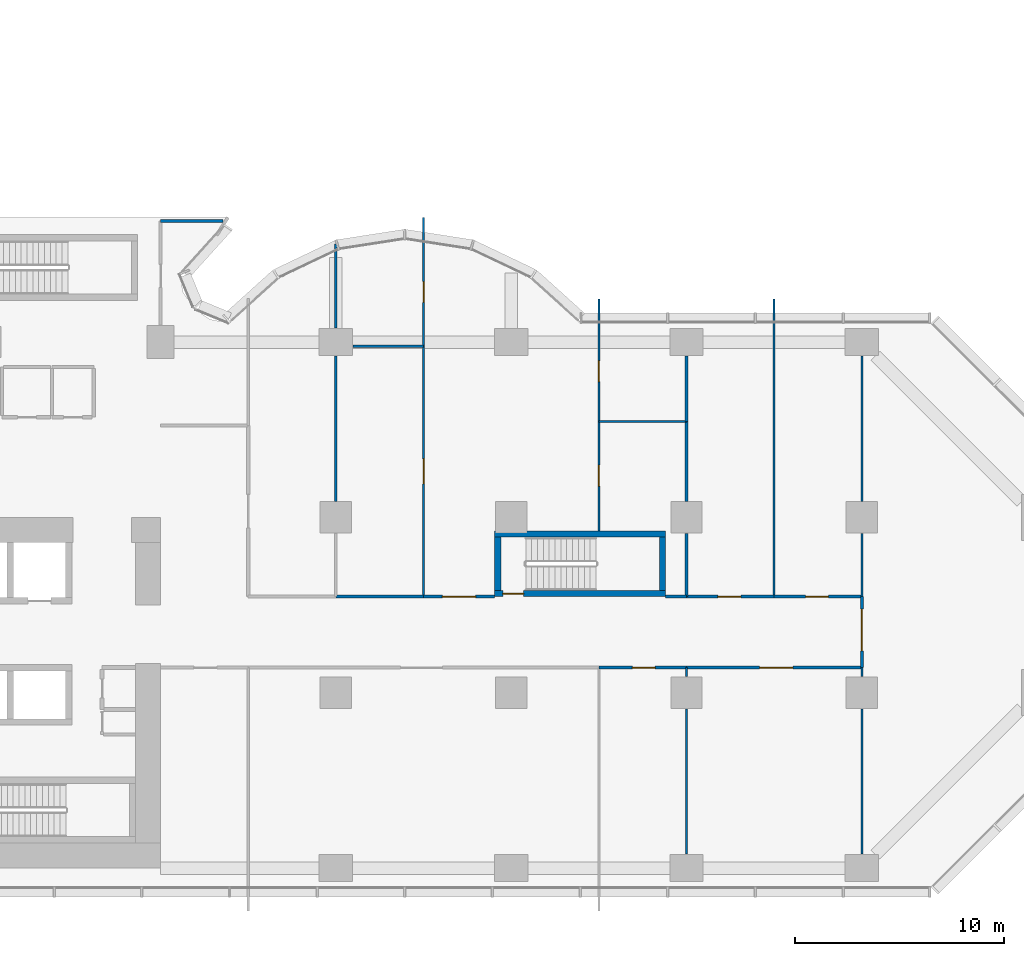
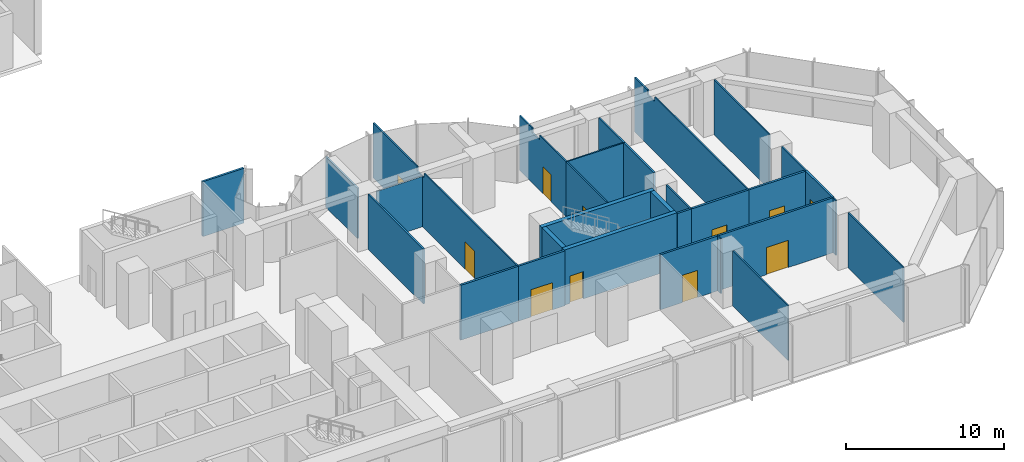
# One storey, part 9 of 13: 31 walls, 11 doors, 11 openings.
"""IFC4 building model written with IfcOpenShell, lengths in metres."""

from ifc_helpers import new_model, si_unit, direction, frame, frame_2d, origin, place, context, subcontext, project, spatial, polyline, rectangle, outline, extrude, material, layer, layer_set, type_object, element, fill, save


model = new_model("IFC4")

# Units and contexts
model_context = context("Model", 3, precision=1e-05, world=origin(), true_north=direction((0.0, 1.0)))
body_context = subcontext(model_context, "Body", "Model", "MODEL_VIEW")
ifc_project = project(units=[si_unit("LENGTHUNIT", "METRE"), si_unit("AREAUNIT", "SQUARE_METRE"), si_unit("VOLUMEUNIT", "CUBIC_METRE"), si_unit("PLANEANGLEUNIT", "RADIAN"), si_unit("MASSUNIT", "GRAM", prefix="KILO")], contexts=[model_context])

# Site, building, storey
site_placement = place(None, origin())
site = spatial("IfcSite", under=ifc_project, at=site_placement, CompositionType="ELEMENT")
building_placement = place(site_placement, origin())
building = spatial("IfcBuilding", under=site, at=building_placement, Name="Brevane Broadcast Tower", CompositionType="ELEMENT")
storey_placement = place(building_placement, frame((0.0, 0.0, 32.0)))
storey = spatial("IfcBuildingStorey", under=building, at=storey_placement, Name="L05", CompositionType="ELEMENT", Elevation=32.0)

# Wall, opening, door
ifc_material_1 = material(Name="Concrete C80/95", Category="concrete")
ifc_layer_1 = layer(ifc_material_1, 0.300048828125)
ifc_layer_set_1 = layer_set([ifc_layer_1], Name="Core wall 300 mm C80/95")
wall_type_1 = type_object("IfcWallType", Name="Core wall 300 mm C80/95", PredefinedType="SHEAR", material=ifc_layer_set_1)
wall_1_placement = place(storey_placement, frame((49.39990234375, 13.14990234375, 0.0), z_axis=(0.0, 0.0, 1.0), x_axis=(-1.0, 0.0, 0.0)))
wall_1 = element("IfcWall", 1, at=wall_1_placement, inside=storey, type_object=wall_type_1, Name="L05 stair wall ST-4-S", PredefinedType="SHEAR", context=body_context, shape_type="SweptSolid", body=[
    extrude(rectangle(XDim=8.199951171875, YDim=0.300048828125, at=frame_2d((4.10009765625, 0.0))), origin(), (0.0, 0.0, 1.0), 4.25),
])
opening_1_placement = place(wall_1_placement, frame((6.800048828125, 0.0, 0.0)))
opening_1 = element("IfcOpeningElement", 2, at=opening_1_placement, cuts=wall_1, Name="Opening L05-K16", PredefinedType="OPENING", context=body_context, shape_type="SweptSolid", body=[
    extrude(rectangle(XDim=1.0, YDim=2.10009765625, at=frame_2d((0.5, 1.050048828125))), frame((0.0, 0.159912109375, 0.0), z_axis=(0.0, -1.0, 0.0), x_axis=(1.0, 0.0, 0.0)), (0.0, 0.0, 1.0), 0.320068359375),
])
ifc_material_2 = material(Name="Steel", Category="steel")
door_type_1 = type_object("IfcDoorType", Name="Stair door 1000 x 2100", OperationType="SINGLE_SWING_LEFT", PredefinedType="DOOR", material=ifc_material_2)
door_1_placement = place(opening_1_placement, origin())
door_1 = element("IfcDoor", 3, at=door_1_placement, inside=storey, type_object=door_type_1, Name="Door L05-K16", OperationType="SINGLE_SWING_LEFT", OverallHeight=2.10009765625, OverallWidth=1.0, PredefinedType="DOOR", context=body_context, shape_type="SweptSolid", body=[
    extrude(rectangle(XDim=1.0, YDim=2.10009765625, at=frame_2d((0.5, 1.050048828125))), frame((0.0, 0.02490234375, 0.0), z_axis=(0.0, -1.0, 0.0), x_axis=(1.0, 0.0, 0.0)), (0.0, 0.0, 1.0), 0.050048828125),
])
fill(opening_1, door_1)

# Walls
wall_2_placement = place(storey_placement, frame((41.199951171875, 16.0, 0.0), z_axis=(0.0, 0.0, 1.0), x_axis=(1.0, 0.0, 0.0)))
element("IfcWall", 4, at=wall_2_placement, inside=storey, type_object=wall_type_1, Name="L05 stair wall ST-4-N", PredefinedType="SHEAR", context=body_context, shape_type="SweptSolid", body=[
    extrude(rectangle(XDim=8.199951171875, YDim=0.300048828125, at=frame_2d((4.10009765625, 0.0))), origin(), (0.0, 0.0, 1.0), 4.25),
])
for number, where, z_axis, x_axis, name in (
    (5, (41.35009765625, 13.300048828125, 0.0), (0.0, 0.0, 1.0), (0.0, 1.0, 0.0), "L05 stair wall ST-4-W"),
    (6, (49.25, 13.300048828125, 0.0), (0.0, 0.0, 1.0), (0.0, 1.0, 0.0), "L05 stair wall ST-4-E"),
):
    element("IfcWall", number, at=place(storey_placement, frame(where, z_axis=z_axis, x_axis=x_axis)), inside=storey, type_object=wall_type_1, Name=name, PredefinedType="SHEAR", context=body_context, shape_type="SweptSolid", body=[
        extrude(rectangle(XDim=2.550048828125, YDim=0.300048828125, at=frame_2d((1.27490234375, 0.0))), origin(), (0.0, 0.0, 1.0), 4.25),
    ])
ifc_material_3 = material(Name="Gypsum board partition")
ifc_layer_2 = layer(ifc_material_3, 0.10009765625)
ifc_layer_set_2 = layer_set([ifc_layer_2], Name="PARTITION 100 STUD")
wall_type_2 = type_object("IfcWallType", Name="PARTITION 100 STUD", PredefinedType="PARTITIONING", material=ifc_layer_set_2)
wall_3_placement = place(storey_placement, frame((58.800048828125, 0.669921875, 0.0), z_axis=(0.0, 0.0, 1.0), x_axis=(0.0, 1.0, 0.0)))
element("IfcWall", 7, at=wall_3_placement, inside=storey, type_object=wall_type_2, Name="Partition P5-018", PredefinedType="PARTITIONING", context=body_context, shape_type="SweptSolid", body=[
    extrude(rectangle(XDim=6.9599609375, YDim=0.10009765625, at=frame_2d((3.47998046875, 0.0))), origin(), (0.0, 0.0, 1.0), 4.22998046875),
])
wall_4_placement = place(storey_placement, frame((58.800048828125, 9.169921875, 0.0), z_axis=(0.0, 0.0, 1.0), x_axis=(0.0, 1.0, 0.0)))
element("IfcWall", 8, at=wall_4_placement, inside=storey, type_object=wall_type_2, Name="Partition P5-019", PredefinedType="PARTITIONING", context=body_context, shape_type="SweptSolid", body=[
    extrude(rectangle(XDim=0.43017578125, YDim=0.10009765625, at=frame_2d((0.215087890625, 0.0))), origin(), (0.0, 0.0, 1.0), 4.22998046875),
])
wall_5_placement = place(storey_placement, frame((58.800048828125, 13.0, 0.0), z_axis=(0.0, 0.0, 1.0), x_axis=(0.0, 1.0, 0.0)))
element("IfcWall", 9, at=wall_5_placement, inside=storey, type_object=wall_type_2, Name="Partition P5-020", PredefinedType="PARTITIONING", context=body_context, shape_type="SweptSolid", body=[
    extrude(rectangle(XDim=3.030029296875, YDim=0.10009765625, at=frame_2d((1.51513671875, 0.0))), origin(), (0.0, 0.0, 1.0), 4.22998046875),
])
wall_6_placement = place(storey_placement, frame((58.800048828125, 17.570068359375, 0.0), z_axis=(0.0, 0.0, 1.0), x_axis=(0.0, 1.0, 0.0)))
element("IfcWall", 10, at=wall_6_placement, inside=storey, type_object=wall_type_2, Name="Partition P5-021", PredefinedType="PARTITIONING", context=body_context, shape_type="SweptSolid", body=[
    extrude(rectangle(XDim=6.9599609375, YDim=0.10009765625, at=frame_2d((3.47998046875, 0.0))), origin(), (0.0, 0.0, 1.0), 4.22998046875),
])
wall_7_placement = place(storey_placement, frame((50.39990234375, 9.60009765625, 0.0), z_axis=(0.0, 0.0, 1.0), x_axis=(0.0, -1.0, 0.0)))
element("IfcWall", 11, at=wall_7_placement, inside=storey, type_object=wall_type_2, Name="Partition P5-024", PredefinedType="PARTITIONING", context=body_context, shape_type="SweptSolid", body=[
    extrude(rectangle(XDim=0.43017578125, YDim=0.10009765625, at=frame_2d((0.215087890625, 0.0))), origin(), (0.0, 0.0, 1.0), 4.22998046875),
])
wall_8_placement = place(storey_placement, frame((50.39990234375, 7.6298828125, 0.0), z_axis=(0.0, 0.0, 1.0), x_axis=(0.0, -1.0, 0.0)))
element("IfcWall", 12, at=wall_8_placement, inside=storey, type_object=wall_type_2, Name="Partition P5-025", PredefinedType="PARTITIONING", context=body_context, shape_type="SweptSolid", body=[
    extrude(rectangle(XDim=6.9599609375, YDim=0.10009765625, at=frame_2d((3.47998046875, 0.0))), origin(), (0.0, 0.0, 1.0), 4.22998046875),
])

# Wall, opening, door
wall_9_placement = place(storey_placement, frame((46.199951171875, 21.39990234375, 0.0), z_axis=(0.0, 0.0, 1.0), x_axis=(0.0, -1.0, 0.0)))
wall_9 = element("IfcWall", 13, at=wall_9_placement, inside=storey, type_object=wall_type_2, Name="Partition P5-029", PredefinedType="PARTITIONING", context=body_context, shape_type="SweptSolid", body=[
    extrude(rectangle(XDim=5.25, YDim=0.10009765625, at=frame_2d((2.625, 0.0))), origin(), (0.0, 0.0, 1.0), 4.22998046875),
])
opening_2_placement = place(wall_9_placement, frame((2.10009765625, 0.0, 0.0)))
opening_2 = element("IfcOpeningElement", 14, at=opening_2_placement, cuts=wall_9, Name="Opening D06-009", PredefinedType="OPENING", context=body_context, shape_type="SweptSolid", body=[
    extrude(rectangle(XDim=1.0, YDim=2.10009765625, at=frame_2d((0.5, 1.050048828125))), frame((0.0, 0.06005859375, 0.0), z_axis=(0.0, -1.0, 0.0), x_axis=(1.0, 0.0, 0.0)), (0.0, 0.0, 1.0), 0.1201171875),
])
ifc_material_4 = material(Name="Timber door leaf", Category="wood")
door_type_2 = type_object("IfcDoorType", Name="DOOR SINGLE 1000 INTERNAL", OperationType="SINGLE_SWING_LEFT", PredefinedType="DOOR", material=ifc_material_4)
door_2_placement = place(opening_2_placement, origin())
door_2 = element("IfcDoor", 15, at=door_2_placement, inside=storey, type_object=door_type_2, Name="Door D06-009", OperationType="SINGLE_SWING_LEFT", OverallHeight=2.10009765625, OverallWidth=1.0, PredefinedType="DOOR", context=body_context, shape_type="SweptSolid", body=[
    extrude(rectangle(XDim=1.0, YDim=2.10009765625, at=frame_2d((0.5, 1.050048828125))), frame((0.0, 0.02490234375, 0.0), z_axis=(0.0, -1.0, 0.0), x_axis=(1.0, 0.0, 0.0)), (0.0, 0.0, 1.0), 0.050048828125),
])
fill(opening_2, door_2)

wall_10_placement = place(storey_placement, frame((46.199951171875, 27.27001953125, 0.0), z_axis=(0.0, 0.0, 1.0), x_axis=(0.0, -1.0, 0.0)))
wall_10 = element("IfcWall", 16, at=wall_10_placement, inside=storey, type_object=wall_type_2, Name="Partition P5-030", PredefinedType="PARTITIONING", context=body_context, shape_type="SweptSolid", body=[
    extrude(outline(polyline([(0.0, 0.0), (5.8701171875, 0.0), (5.8701171875, 4.22998046875), (2.52001953125, 4.22998046875), (2.51806640625, 3.8798828125), (1.6220703125, 3.8798828125), (1.6201171875, 4.22998046875), (0.969970703125, 4.22998046875), (0.0, 4.22998046875), (0.0, 0.0)])), frame((0.0, 0.050048828125, 0.0), z_axis=(0.0, -1.0, 0.0), x_axis=(1.0, 0.0, 0.0)), (0.0, 0.0, 1.0), 0.10009765625),
])
opening_3_placement = place(wall_10_placement, frame((2.969970703125, 0.0, 0.0)))
opening_3 = element("IfcOpeningElement", 17, at=opening_3_placement, cuts=wall_10, Name="Opening D06-010", PredefinedType="OPENING", context=body_context, shape_type="SweptSolid", body=[
    extrude(rectangle(XDim=1.0, YDim=2.10009765625, at=frame_2d((0.5, 1.050048828125))), frame((0.0, 0.06005859375, 0.0), z_axis=(0.0, -1.0, 0.0), x_axis=(1.0, 0.0, 0.0)), (0.0, 0.0, 1.0), 0.1201171875),
])
door_3_placement = place(opening_3_placement, origin())
door_3 = element("IfcDoor", 18, at=door_3_placement, inside=storey, type_object=door_type_2, Name="Door D06-010", OperationType="SINGLE_SWING_LEFT", OverallHeight=2.10009765625, OverallWidth=1.0, PredefinedType="DOOR", context=body_context, shape_type="SweptSolid", body=[
    extrude(rectangle(XDim=1.0, YDim=2.10009765625, at=frame_2d((0.5, 1.050048828125))), frame((0.0, 0.02490234375, 0.0), z_axis=(0.0, -1.0, 0.0), x_axis=(1.0, 0.0, 0.0)), (0.0, 0.0, 1.0), 0.050048828125),
])
fill(opening_3, door_3)

wall_11_placement = place(storey_placement, frame((37.800048828125, 13.0, 0.0), z_axis=(0.0, 0.0, 1.0), x_axis=(0.0, 1.0, 0.0)))
wall_11 = element("IfcWall", 19, at=wall_11_placement, inside=storey, type_object=wall_type_2, Name="Partition P5-031", PredefinedType="PARTITIONING", context=body_context, shape_type="SweptSolid", body=[
    extrude(outline(polyline([(0.0, 0.0), (12.0, 0.0), (12.0, 3.8798828125), (11.751953125, 3.8798828125), (11.75, 4.22998046875), (0.0, 4.22998046875), (0.0, 0.0)])), frame((0.0, 0.050048828125, 0.0), z_axis=(0.0, -1.0, 0.0), x_axis=(1.0, 0.0, 0.0)), (0.0, 0.0, 1.0), 0.10009765625),
])
opening_4_placement = place(wall_11_placement, frame((5.39990234375, 0.0, 0.0)))
opening_4 = element("IfcOpeningElement", 20, at=opening_4_placement, cuts=wall_11, Name="Opening D06-011", PredefinedType="OPENING", context=body_context, shape_type="SweptSolid", body=[
    extrude(rectangle(XDim=1.199951171875, YDim=2.10009765625, at=frame_2d((0.60009765625, 1.050048828125))), frame((0.0, 0.06005859375, 0.0), z_axis=(0.0, -1.0, 0.0), x_axis=(1.0, 0.0, 0.0)), (0.0, 0.0, 1.0), 0.1201171875),
])
door_type_3 = type_object("IfcDoorType", Name="DOOR SINGLE 1200 INTERNAL", OperationType="SINGLE_SWING_LEFT", PredefinedType="DOOR", material=ifc_material_4)
door_4_placement = place(opening_4_placement, origin())
door_4 = element("IfcDoor", 21, at=door_4_placement, inside=storey, type_object=door_type_3, Name="Door D06-011", OperationType="SINGLE_SWING_LEFT", OverallHeight=2.10009765625, OverallWidth=1.199951171875, PredefinedType="DOOR", context=body_context, shape_type="SweptSolid", body=[
    extrude(rectangle(XDim=1.199951171875, YDim=2.10009765625, at=frame_2d((0.60009765625, 1.050048828125))), frame((0.0, 0.02490234375, 0.0), z_axis=(0.0, -1.0, 0.0), x_axis=(1.0, 0.0, 0.0)), (0.0, 0.0, 1.0), 0.050048828125),
])
fill(opening_4, door_4)

wall_12_placement = place(storey_placement, frame((37.800048828125, 25.0, 0.0), z_axis=(0.0, 0.0, 1.0), x_axis=(0.0, 1.0, 0.0)))
wall_12 = element("IfcWall", 22, at=wall_12_placement, inside=storey, type_object=wall_type_2, Name="Partition P5-032", PredefinedType="PARTITIONING", context=body_context, shape_type="SweptSolid", body=[
    extrude(outline(polyline([(0.0, 0.0), (6.169921875, 0.0), (6.169921875, 4.22998046875), (5.24267578125, 4.22998046875), (0.64990234375, 4.22998046875), (0.64794921875, 3.8798828125), (0.0, 3.8798828125), (0.0, 0.0)])), frame((0.0, 0.050048828125, 0.0), z_axis=(0.0, -1.0, 0.0), x_axis=(1.0, 0.0, 0.0)), (0.0, 0.0, 1.0), 0.10009765625),
])
opening_5_placement = place(wall_12_placement, frame((2.10009765625, 0.0, 0.0)))
opening_5 = element("IfcOpeningElement", 23, at=opening_5_placement, cuts=wall_12, Name="Opening D06-012", PredefinedType="OPENING", context=body_context, shape_type="SweptSolid", body=[
    extrude(rectangle(XDim=1.0, YDim=2.10009765625, at=frame_2d((0.5, 1.050048828125))), frame((0.0, 0.06005859375, 0.0), z_axis=(0.0, -1.0, 0.0), x_axis=(1.0, 0.0, 0.0)), (0.0, 0.0, 1.0), 0.1201171875),
])
door_5_placement = place(opening_5_placement, origin())
door_5 = element("IfcDoor", 24, at=door_5_placement, inside=storey, type_object=door_type_2, Name="Door D06-012", OperationType="SINGLE_SWING_LEFT", OverallHeight=2.10009765625, OverallWidth=1.0, PredefinedType="DOOR", context=body_context, shape_type="SweptSolid", body=[
    extrude(rectangle(XDim=1.0, YDim=2.10009765625, at=frame_2d((0.5, 1.050048828125))), frame((0.0, 0.02490234375, 0.0), z_axis=(0.0, -1.0, 0.0), x_axis=(1.0, 0.0, 0.0)), (0.0, 0.0, 1.0), 0.050048828125),
])
fill(opening_5, door_5)

# Walls
wall_13_placement = place(storey_placement, frame((46.199951171875, 21.39990234375, 0.0), z_axis=(0.0, 0.0, 1.0), x_axis=(1.0, 0.0, 0.0)))
element("IfcWall", 25, at=wall_13_placement, inside=storey, type_object=wall_type_2, Name="Partition P5-033", PredefinedType="PARTITIONING", context=body_context, shape_type="SweptSolid", body=[
    extrude(rectangle(XDim=4.199951171875, YDim=0.10009765625, at=frame_2d((2.10009765625, 0.0))), origin(), (0.0, 0.0, 1.0), 4.22998046875),
])
wall_14_placement = place(storey_placement, frame((34.419921875, 25.0, 0.0), z_axis=(0.0, 0.0, 1.0), x_axis=(1.0, 0.0, 0.0)))
element("IfcWall", 26, at=wall_14_placement, inside=storey, type_object=wall_type_2, Name="Partition P5-037", PredefinedType="PARTITIONING", context=body_context, shape_type="SweptSolid", body=[
    extrude(rectangle(XDim=3.380126953125, YDim=0.10009765625, at=frame_2d((1.68994140625, 0.0))), origin(), (0.0, 0.0, 1.0), 3.8798828125),
])
wall_15_placement = place(storey_placement, frame((54.60009765625, 27.27001953125, 0.0), z_axis=(0.0, 0.0, 1.0), x_axis=(0.0, -1.0, 0.0)))
element("IfcWall", 27, at=wall_15_placement, inside=storey, type_object=wall_type_2, Name="Partition P5-038", PredefinedType="PARTITIONING", context=body_context, shape_type="SweptSolid", body=[
    extrude(outline(polyline([(0.0, 0.0), (14.27001953125, 0.0), (14.27001953125, 4.22998046875), (2.52001953125, 4.22998046875), (2.51806640625, 3.8798828125), (1.6220703125, 3.8798828125), (1.6201171875, 4.22998046875), (0.969970703125, 4.22998046875), (0.0, 4.22998046875), (0.0, 0.0)])), frame((0.0, 0.050048828125, 0.0), z_axis=(0.0, -1.0, 0.0), x_axis=(1.0, 0.0, 0.0)), (0.0, 0.0, 1.0), 0.10009765625),
])
ifc_layer_3 = layer(ifc_material_3, 0.125)
ifc_layer_set_3 = layer_set([ifc_layer_3], Name="PARTITION 125 ACOUSTIC")
wall_type_3 = type_object("IfcWallType", Name="PARTITION 125 ACOUSTIC", PredefinedType="PARTITIONING", material=ifc_layer_set_3)
wall_16_placement = place(storey_placement, frame((33.60009765625, 24.530029296875, 0.0), z_axis=(0.0, 0.0, 1.0), x_axis=(0.0, -1.0, 0.0)))
element("IfcWall", 28, at=wall_16_placement, inside=storey, type_object=wall_type_3, Name="Partition P5-026", PredefinedType="PARTITIONING", context=body_context, shape_type="SweptSolid", body=[
    extrude(rectangle(XDim=6.9599609375, YDim=0.125, at=frame_2d((3.47998046875, 0.0))), origin(), (0.0, 0.0, 1.0), 4.22998046875),
])
wall_17_placement = place(storey_placement, frame((33.60009765625, 29.903564453125, 0.0), z_axis=(0.0, 0.0, 1.0), x_axis=(0.0, -1.0, 0.0)))
element("IfcWall", 29, at=wall_17_placement, inside=storey, type_object=wall_type_3, Name="Partition P5-028", PredefinedType="PARTITIONING", context=body_context, shape_type="SweptSolid", body=[
    extrude(rectangle(XDim=4.033447265625, YDim=0.125, at=frame_2d((2.0166015625, 0.0))), origin(), (0.0, 0.0, 1.0), 3.8798828125),
])
wall_18_placement = place(storey_placement, frame((50.39990234375, 21.39990234375, 0.0), z_axis=(0.0, 0.0, 1.0), x_axis=(0.0, -1.0, 0.0)))
element("IfcWall", 30, at=wall_18_placement, inside=storey, type_object=wall_type_3, Name="Partition P5-034", PredefinedType="PARTITIONING", context=body_context, shape_type="SweptSolid", body=[
    extrude(rectangle(XDim=3.829833984375, YDim=0.125, at=frame_2d((1.9150390625, 0.0))), origin(), (0.0, 0.0, 1.0), 4.22998046875),
])
wall_19_placement = place(storey_placement, frame((50.39990234375, 16.030029296875, 0.0), z_axis=(0.0, 0.0, 1.0), x_axis=(0.0, -1.0, 0.0)))
element("IfcWall", 31, at=wall_19_placement, inside=storey, type_object=wall_type_3, Name="Partition P5-035", PredefinedType="PARTITIONING", context=body_context, shape_type="SweptSolid", body=[
    extrude(rectangle(XDim=3.030029296875, YDim=0.125, at=frame_2d((1.51513671875, 0.0))), origin(), (0.0, 0.0, 1.0), 4.22998046875),
])
wall_20_placement = place(storey_placement, frame((50.39990234375, 24.530029296875, 0.0), z_axis=(0.0, 0.0, 1.0), x_axis=(0.0, -1.0, 0.0)))
element("IfcWall", 32, at=wall_20_placement, inside=storey, type_object=wall_type_3, Name="Partition P5-036", PredefinedType="PARTITIONING", context=body_context, shape_type="SweptSolid", body=[
    extrude(rectangle(XDim=3.130126953125, YDim=0.125, at=frame_2d((1.56494140625, 0.0))), origin(), (0.0, 0.0, 1.0), 4.22998046875),
])
ifc_layer_4 = layer(ifc_material_3, 0.14990234375)
ifc_layer_set_4 = layer_set([ifc_layer_4], Name="PARTITION 150 EI 60")
wall_type_4 = type_object("IfcWallType", Name="PARTITION 150 EI 60", PredefinedType="PARTITIONING", material=ifc_layer_set_4)
wall_21_placement = place(storey_placement, frame((25.199951171875, 31.0, 0.0), z_axis=(0.0, 0.0, 1.0), x_axis=(1.0, 0.0, 0.0)))
element("IfcWall", 33, at=wall_21_placement, inside=storey, type_object=wall_type_4, Name="Partition P5-006", PredefinedType="PARTITIONING", context=body_context, shape_type="SweptSolid", body=[
    extrude(rectangle(XDim=2.994140625, YDim=0.14990234375, at=frame_2d((1.4970703125, 0.0))), origin(), (0.0, 0.0, 1.0), 4.22998046875),
])

# Wall, opening, door
wall_22_placement = place(storey_placement, frame((58.800048828125, 13.0, 0.0), z_axis=(0.0, 0.0, 1.0), x_axis=(0.0, -1.0, 0.0)))
wall_22 = element("IfcWall", 34, at=wall_22_placement, inside=storey, type_object=wall_type_4, Name="Partition P5-008", PredefinedType="PARTITIONING", context=body_context, shape_type="SweptSolid", body=[
    extrude(rectangle(XDim=3.39990234375, YDim=0.14990234375, at=frame_2d((1.699951171875, 0.0))), origin(), (0.0, 0.0, 1.0), 4.22998046875),
])
opening_6_placement = place(wall_22_placement, frame((0.60009765625, 0.0, 0.0)))
opening_6 = element("IfcOpeningElement", 35, at=opening_6_placement, cuts=wall_22, Name="Opening D06-002", PredefinedType="OPENING", context=body_context, shape_type="SweptSolid", body=[
    extrude(rectangle(XDim=2.0, YDim=2.39990234375, at=frame_2d((1.0, 1.199951171875))), frame((0.0, 0.0849609375, 0.0), z_axis=(0.0, -1.0, 0.0), x_axis=(1.0, 0.0, 0.0)), (0.0, 0.0, 1.0), 0.169921875),
])
ifc_material_5 = material(Name="Fire-rated timber door leaf", Category="wood")
door_type_4 = type_object("IfcDoorType", Name="DOOR DOUBLE 2000 FD30S", OperationType="DOUBLE_DOOR_SINGLE_SWING", PredefinedType="DOOR", material=ifc_material_5)
door_6_placement = place(opening_6_placement, origin())
door_6 = element("IfcDoor", 36, at=door_6_placement, inside=storey, type_object=door_type_4, Name="Door D06-002", OperationType="DOUBLE_DOOR_SINGLE_SWING", OverallHeight=2.39990234375, OverallWidth=2.0, PredefinedType="DOOR", context=body_context, shape_type="SweptSolid", body=[
    extrude(rectangle(XDim=2.0, YDim=2.39990234375, at=frame_2d((1.0, 1.199951171875))), frame((0.0, 0.02490234375, 0.0), z_axis=(0.0, -1.0, 0.0), x_axis=(1.0, 0.0, 0.0)), (0.0, 0.0, 1.0), 0.050048828125),
])
fill(opening_6, door_6)

wall_23_placement = place(storey_placement, frame((50.39990234375, 9.60009765625, 0.0), z_axis=(0.0, 0.0, 1.0), x_axis=(-1.0, 0.0, 0.0)))
wall_23 = element("IfcWall", 37, at=wall_23_placement, inside=storey, type_object=wall_type_4, Name="Partition P5-010", PredefinedType="PARTITIONING", context=body_context, shape_type="SweptSolid", body=[
    extrude(rectangle(XDim=4.199951171875, YDim=0.14990234375, at=frame_2d((2.10009765625, 0.0))), origin(), (0.0, 0.0, 1.0), 4.22998046875),
])
opening_7_placement = place(wall_23_placement, frame((1.5, 0.0, 0.0)))
opening_7 = element("IfcOpeningElement", 38, at=opening_7_placement, cuts=wall_23, Name="Opening D06-005", PredefinedType="OPENING", context=body_context, shape_type="SweptSolid", body=[
    extrude(rectangle(XDim=1.10009765625, YDim=2.10009765625, at=frame_2d((0.550048828125, 1.050048828125))), frame((0.0, 0.0849609375, 0.0), z_axis=(0.0, -1.0, 0.0), x_axis=(1.0, 0.0, 0.0)), (0.0, 0.0, 1.0), 0.169921875),
])
door_type_5 = type_object("IfcDoorType", Name="DOOR SINGLE 1100 FD30S", OperationType="SINGLE_SWING_LEFT", PredefinedType="DOOR", material=ifc_material_5)
door_7_placement = place(opening_7_placement, origin())
door_7 = element("IfcDoor", 39, at=door_7_placement, inside=storey, type_object=door_type_5, Name="Door D06-005", OperationType="SINGLE_SWING_LEFT", OverallHeight=2.10009765625, OverallWidth=1.10009765625, PredefinedType="DOOR", context=body_context, shape_type="SweptSolid", body=[
    extrude(rectangle(XDim=1.10009765625, YDim=2.10009765625, at=frame_2d((0.550048828125, 1.050048828125))), frame((0.0, 0.02490234375, 0.0), z_axis=(0.0, -1.0, 0.0), x_axis=(1.0, 0.0, 0.0)), (0.0, 0.0, 1.0), 0.050048828125),
])
fill(opening_7, door_7)

wall_24_placement = place(storey_placement, frame((58.800048828125, 9.60009765625, 0.0), z_axis=(0.0, 0.0, 1.0), x_axis=(-1.0, 0.0, 0.0)))
wall_24 = element("IfcWall", 40, at=wall_24_placement, inside=storey, type_object=wall_type_4, Name="Partition P5-011", PredefinedType="PARTITIONING", context=body_context, shape_type="SweptSolid", body=[
    extrude(rectangle(XDim=8.400146484375, YDim=0.14990234375, at=frame_2d((4.2001953125, 0.0))), origin(), (0.0, 0.0, 1.0), 4.22998046875),
])
opening_8_placement = place(wall_24_placement, frame((3.300048828125, 0.0, 0.0)))
opening_8 = element("IfcOpeningElement", 41, at=opening_8_placement, cuts=wall_24, Name="Opening D06-006", PredefinedType="OPENING", context=body_context, shape_type="SweptSolid", body=[
    extrude(rectangle(XDim=1.60009765625, YDim=2.10009765625, at=frame_2d((0.800048828125, 1.050048828125))), frame((0.0, 0.0849609375, 0.0), z_axis=(0.0, -1.0, 0.0), x_axis=(1.0, 0.0, 0.0)), (0.0, 0.0, 1.0), 0.169921875),
])
door_type_6 = type_object("IfcDoorType", Name="DOOR DOUBLE 1600 FD30S", OperationType="DOUBLE_DOOR_SINGLE_SWING", PredefinedType="DOOR", material=ifc_material_5)
door_8_placement = place(opening_8_placement, origin())
door_8 = element("IfcDoor", 42, at=door_8_placement, inside=storey, type_object=door_type_6, Name="Door D06-006", OperationType="DOUBLE_DOOR_SINGLE_SWING", OverallHeight=2.10009765625, OverallWidth=1.60009765625, PredefinedType="DOOR", context=body_context, shape_type="SweptSolid", body=[
    extrude(rectangle(XDim=1.60009765625, YDim=2.10009765625, at=frame_2d((0.800048828125, 1.050048828125))), frame((0.0, 0.02490234375, 0.0), z_axis=(0.0, -1.0, 0.0), x_axis=(1.0, 0.0, 0.0)), (0.0, 0.0, 1.0), 0.050048828125),
])
fill(opening_8, door_8)

wall_25_placement = place(storey_placement, frame((37.800048828125, 13.0, 0.0), z_axis=(0.0, 0.0, 1.0), x_axis=(1.0, 0.0, 0.0)))
wall_25 = element("IfcWall", 43, at=wall_25_placement, inside=storey, type_object=wall_type_4, Name="Partition P5-013", PredefinedType="PARTITIONING", context=body_context, shape_type="SweptSolid", body=[
    extrude(rectangle(XDim=3.39990234375, YDim=0.14990234375, at=frame_2d((1.699951171875, 0.0))), origin(), (0.0, 0.0, 1.0), 4.22998046875),
])
opening_9_placement = place(wall_25_placement, frame((0.89990234375, 0.0, 0.0)))
opening_9 = element("IfcOpeningElement", 44, at=opening_9_placement, cuts=wall_25, Name="Opening D06-008", PredefinedType="OPENING", context=body_context, shape_type="SweptSolid", body=[
    extrude(rectangle(XDim=1.60009765625, YDim=2.10009765625, at=frame_2d((0.800048828125, 1.050048828125))), frame((0.0, 0.0849609375, 0.0), z_axis=(0.0, -1.0, 0.0), x_axis=(1.0, 0.0, 0.0)), (0.0, 0.0, 1.0), 0.169921875),
])
door_9_placement = place(opening_9_placement, origin())
door_9 = element("IfcDoor", 45, at=door_9_placement, inside=storey, type_object=door_type_6, Name="Door D06-008", OperationType="DOUBLE_DOOR_SINGLE_SWING", OverallHeight=2.10009765625, OverallWidth=1.60009765625, PredefinedType="DOOR", context=body_context, shape_type="SweptSolid", body=[
    extrude(rectangle(XDim=1.60009765625, YDim=2.10009765625, at=frame_2d((0.800048828125, 1.050048828125))), frame((0.0, 0.02490234375, 0.0), z_axis=(0.0, -1.0, 0.0), x_axis=(1.0, 0.0, 0.0)), (0.0, 0.0, 1.0), 0.050048828125),
])
fill(opening_9, door_9)

# Walls
wall_26_placement = place(storey_placement, frame((49.39990234375, 13.0, 0.0), z_axis=(0.0, 0.0, 1.0), x_axis=(1.0, 0.0, 0.0)))
element("IfcWall", 46, at=wall_26_placement, inside=storey, type_object=wall_type_4, Name="Partition P5-014", PredefinedType="PARTITIONING", context=body_context, shape_type="SweptSolid", body=[
    extrude(rectangle(XDim=1.0, YDim=0.14990234375, at=frame_2d((0.5, 0.0))), origin(), (0.0, 0.0, 1.0), 4.22998046875),
])
wall_27_placement = place(storey_placement, frame((33.60009765625, 13.0, 0.0), z_axis=(0.0, 0.0, 1.0), x_axis=(1.0, 0.0, 0.0)))
element("IfcWall", 47, at=wall_27_placement, inside=storey, type_object=wall_type_4, Name="Partition P5-015", PredefinedType="PARTITIONING", context=body_context, shape_type="SweptSolid", body=[
    extrude(rectangle(XDim=4.199951171875, YDim=0.14990234375, at=frame_2d((2.10009765625, 0.0))), origin(), (0.0, 0.0, 1.0), 4.22998046875),
])

# Wall, opening, door
wall_28_placement = place(storey_placement, frame((50.39990234375, 13.0, 0.0), z_axis=(0.0, 0.0, 1.0), x_axis=(1.0, 0.0, 0.0)))
wall_28 = element("IfcWall", 48, at=wall_28_placement, inside=storey, type_object=wall_type_4, Name="Partition P5-016", PredefinedType="PARTITIONING", context=body_context, shape_type="SweptSolid", body=[
    extrude(rectangle(XDim=4.2001953125, YDim=0.14990234375, at=frame_2d((2.10009765625, 0.0))), origin(), (0.0, 0.0, 1.0), 4.22998046875),
])
opening_10_placement = place(wall_28_placement, frame((1.5, 0.0, 0.0)))
opening_10 = element("IfcOpeningElement", 49, at=opening_10_placement, cuts=wall_28, Name="Opening D06-013", PredefinedType="OPENING", context=body_context, shape_type="SweptSolid", body=[
    extrude(rectangle(XDim=1.10009765625, YDim=2.10009765625, at=frame_2d((0.550048828125, 1.050048828125))), frame((0.0, 0.0849609375, 0.0), z_axis=(0.0, -1.0, 0.0), x_axis=(1.0, 0.0, 0.0)), (0.0, 0.0, 1.0), 0.169921875),
])
door_10_placement = place(opening_10_placement, origin())
door_10 = element("IfcDoor", 50, at=door_10_placement, inside=storey, type_object=door_type_5, Name="Door D06-013", OperationType="SINGLE_SWING_LEFT", OverallHeight=2.10009765625, OverallWidth=1.10009765625, PredefinedType="DOOR", context=body_context, shape_type="SweptSolid", body=[
    extrude(rectangle(XDim=1.10009765625, YDim=2.10009765625, at=frame_2d((0.550048828125, 1.050048828125))), frame((0.0, 0.02490234375, 0.0), z_axis=(0.0, -1.0, 0.0), x_axis=(1.0, 0.0, 0.0)), (0.0, 0.0, 1.0), 0.050048828125),
])
fill(opening_10, door_10)

wall_29_placement = place(storey_placement, frame((54.60009765625, 13.0, 0.0), z_axis=(0.0, 0.0, 1.0), x_axis=(1.0, 0.0, 0.0)))
wall_29 = element("IfcWall", 51, at=wall_29_placement, inside=storey, type_object=wall_type_4, Name="Partition P5-017", PredefinedType="PARTITIONING", context=body_context, shape_type="SweptSolid", body=[
    extrude(rectangle(XDim=4.199951171875, YDim=0.14990234375, at=frame_2d((2.10009765625, 0.0))), origin(), (0.0, 0.0, 1.0), 4.22998046875),
])
opening_11_placement = place(wall_29_placement, frame((1.5, 0.0, 0.0)))
opening_11 = element("IfcOpeningElement", 52, at=opening_11_placement, cuts=wall_29, Name="Opening D06-014", PredefinedType="OPENING", context=body_context, shape_type="SweptSolid", body=[
    extrude(rectangle(XDim=1.10009765625, YDim=2.10009765625, at=frame_2d((0.550048828125, 1.050048828125))), frame((0.0, 0.0849609375, 0.0), z_axis=(0.0, -1.0, 0.0), x_axis=(1.0, 0.0, 0.0)), (0.0, 0.0, 1.0), 0.169921875),
])
door_11_placement = place(opening_11_placement, origin())
door_11 = element("IfcDoor", 53, at=door_11_placement, inside=storey, type_object=door_type_5, Name="Door D06-014", OperationType="SINGLE_SWING_LEFT", OverallHeight=2.10009765625, OverallWidth=1.10009765625, PredefinedType="DOOR", context=body_context, shape_type="SweptSolid", body=[
    extrude(rectangle(XDim=1.10009765625, YDim=2.10009765625, at=frame_2d((0.550048828125, 1.050048828125))), frame((0.0, 0.02490234375, 0.0), z_axis=(0.0, -1.0, 0.0), x_axis=(1.0, 0.0, 0.0)), (0.0, 0.0, 1.0), 0.050048828125),
])
fill(opening_11, door_11)

save(model, "model.ifc")
